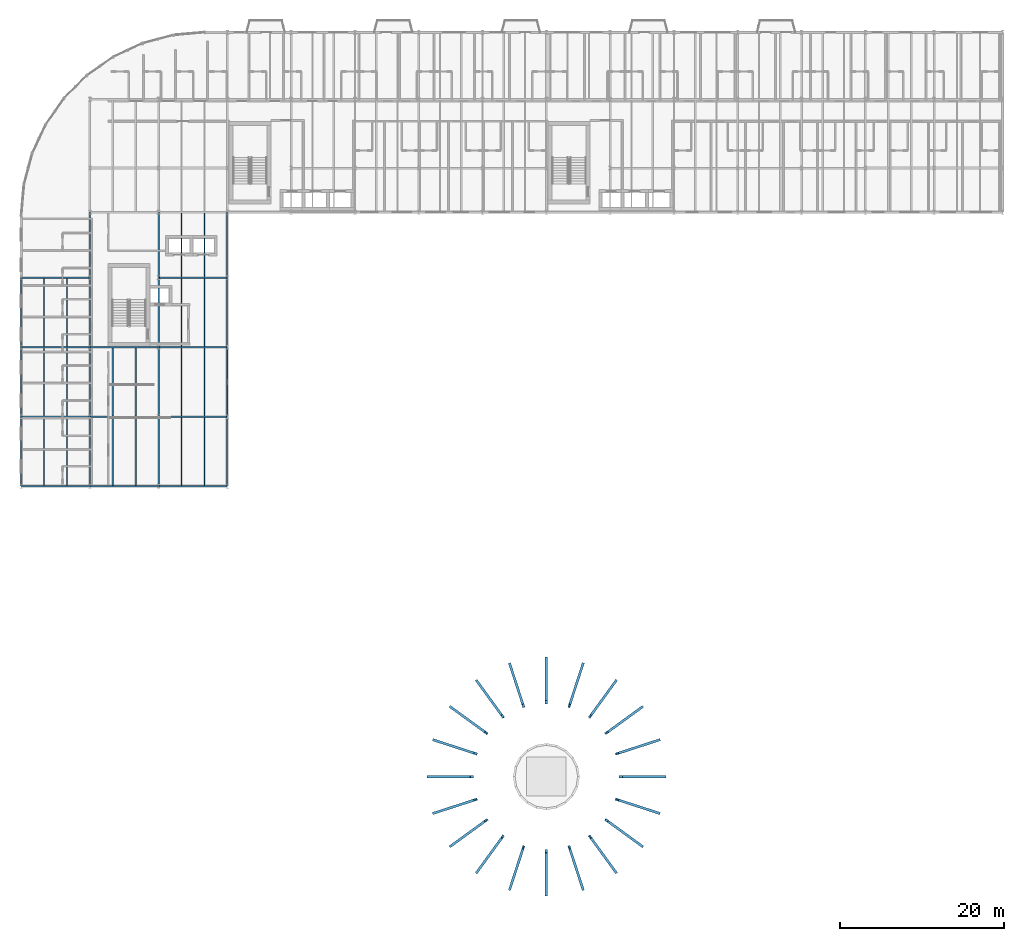
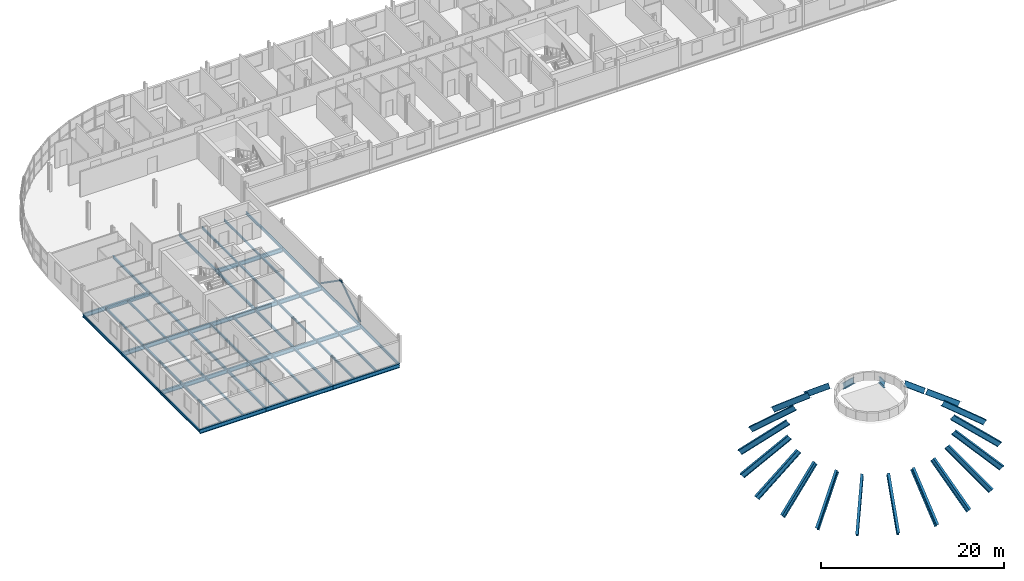
# One storey, part 7 of 34: 44 beams, 22 members.
"""IFC4 building model written with IfcOpenShell, lengths in metres."""

from ifc_helpers import new_model, si_unit, direction, frame, origin, origin_2d, place, context, subcontext, project, spatial, hollow_circle, i_section, extrude, material, material_profile, profile_set, type_object, element, save


model = new_model("IFC4")

# Units and contexts
model_context = context("Model", 3, precision=1e-05, world=origin(), true_north=direction((0.0, 1.0)))
body_context = subcontext(model_context, "Body", "Model", "MODEL_VIEW")
ifc_project = project(units=[si_unit("LENGTHUNIT", "METRE"), si_unit("AREAUNIT", "SQUARE_METRE"), si_unit("VOLUMEUNIT", "CUBIC_METRE"), si_unit("PLANEANGLEUNIT", "RADIAN"), si_unit("MASSUNIT", "GRAM", prefix="KILO")], contexts=[model_context])

# Site, building, storey
site_placement = place(None, origin())
site = spatial("IfcSite", under=ifc_project, at=site_placement, CompositionType="ELEMENT")
building_placement = place(site_placement, origin())
building = spatial("IfcBuilding", under=site, at=building_placement, Name="Sefraquen Railside Congress Hotel", CompositionType="ELEMENT")
storey_placement = place(building_placement, frame((0.0, 0.0, 31.800048828125)))
storey = spatial("IfcBuildingStorey", under=building, at=storey_placement, Name="L07", CompositionType="ELEMENT", Elevation=31.800048828125)

# Beams
ifc_material_1 = material(Name="Steel S355JR", Category="steel")
ifc_material_profile_1 = material_profile(ifc_material_1, i_section(OverallWidth=0.169921875, OverallDepth=0.360107421875, WebThickness=0.008056640625, FlangeThickness=0.0126953125, FilletRadius=0.01806640625, at=origin_2d()), Name="IPE 360")
ifc_profile_set_1 = profile_set([ifc_material_profile_1], Name="Steel S355JR")
beam_type_1 = type_object("IfcBeamType", Name="TB-BM-360", PredefinedType="BEAM", material=ifc_profile_set_1)
for number, where, z_axis, x_axis, name in (
    (1, (0.0, 62.5, -0.420166015625), (0.0, 1.0, 0.0), (-1.0, 0.0, 0.0), "Floor beam BM-L07-1770"),
    (2, (0.0, 71.0, -0.420166015625), (0.0, 1.0, 0.0), (-1.0, 0.0, 0.0), "Floor beam BM-L07-1771"),
    (3, (0.0, 79.5, -0.420166015625), (0.0, 1.0, 0.0), (-1.0, 0.0, 0.0), "Floor beam BM-L07-1772"),
    (4, (8.39990234375, 62.5, -0.420166015625), (0.0, 1.0, 0.0), (-1.0, 0.0, 0.0), "Floor beam BM-L07-1773"),
    (5, (8.39990234375, 71.0, -0.420166015625), (0.0, 1.0, 0.0), (-1.0, 0.0, 0.0), "Floor beam BM-L07-1774"),
    (6, (8.39990234375, 79.5, -0.420166015625), (0.0, 1.0, 0.0), (-1.0, 0.0, 0.0), "Floor beam BM-L07-1775"),
):
    element("IfcBeam", number, at=place(storey_placement, frame(where, z_axis=z_axis, x_axis=x_axis)), inside=storey, type_object=beam_type_1, Name=name, PredefinedType="BEAM", context=body_context, shape_type="SweptSolid", body=[
        extrude(i_section(OverallWidth=0.169921875, OverallDepth=0.360107421875, WebThickness=0.008056640625, FlangeThickness=0.0126953125, FilletRadius=0.01806640625, at=origin_2d()), origin(), (0.0, 0.0, 1.0), 8.5),
    ])
beam_1_placement = place(storey_placement, frame((8.39990234375, 88.0, -0.420166015625), z_axis=(0.0, 1.0, 0.0), x_axis=(-1.0, 0.0, 0.0)))
element("IfcBeam", 7, at=beam_1_placement, inside=storey, type_object=beam_type_1, Name="Floor beam BM-L07-1776", PredefinedType="BEAM", context=body_context, shape_type="SweptSolid", body=[
    extrude(i_section(OverallWidth=0.169921875, OverallDepth=0.360107421875, WebThickness=0.008056640625, FlangeThickness=0.0126953125, FilletRadius=0.01806640625, at=origin_2d()), origin(), (0.0, 0.0, 1.0), 8.0),
])
for number, where, z_axis, x_axis, name in (
    (8, (16.800048828125, 62.5, -0.420166015625), (0.0, 1.0, 0.0), (-1.0, 0.0, 0.0), "Floor beam BM-L07-1779"),
    (9, (16.800048828125, 71.0, -0.420166015625), (0.0, 1.0, 0.0), (-1.0, 0.0, 0.0), "Floor beam BM-L07-1780"),
    (10, (16.800048828125, 79.5, -0.420166015625), (0.0, 1.0, 0.0), (-1.0, 0.0, 0.0), "Floor beam BM-L07-1781"),
):
    element("IfcBeam", number, at=place(storey_placement, frame(where, z_axis=z_axis, x_axis=x_axis)), inside=storey, type_object=beam_type_1, Name=name, PredefinedType="BEAM", context=body_context, shape_type="SweptSolid", body=[
        extrude(i_section(OverallWidth=0.169921875, OverallDepth=0.360107421875, WebThickness=0.008056640625, FlangeThickness=0.0126953125, FilletRadius=0.01806640625, at=origin_2d()), origin(), (0.0, 0.0, 1.0), 8.5),
    ])
beam_2_placement = place(storey_placement, frame((16.800048828125, 88.0, -0.420166015625), z_axis=(0.0, 1.0, 0.0), x_axis=(-1.0, 0.0, 0.0)))
element("IfcBeam", 11, at=beam_2_placement, inside=storey, type_object=beam_type_1, Name="Floor beam BM-L07-1782", PredefinedType="BEAM", context=body_context, shape_type="SweptSolid", body=[
    extrude(i_section(OverallWidth=0.169921875, OverallDepth=0.360107421875, WebThickness=0.008056640625, FlangeThickness=0.0126953125, FilletRadius=0.01806640625, at=origin_2d()), origin(), (0.0, 0.0, 1.0), 8.0),
])
for number, where, z_axis, x_axis, name in (
    (12, (25.199951171875, 62.5, -0.420166015625), (0.0, 1.0, 0.0), (-1.0, 0.0, 0.0), "Floor beam BM-L07-1785"),
    (13, (25.199951171875, 71.0, -0.420166015625), (0.0, 1.0, 0.0), (-1.0, 0.0, 0.0), "Floor beam BM-L07-1786"),
    (14, (25.199951171875, 79.5, -0.420166015625), (0.0, 1.0, 0.0), (-1.0, 0.0, 0.0), "Floor beam BM-L07-1787"),
):
    element("IfcBeam", number, at=place(storey_placement, frame(where, z_axis=z_axis, x_axis=x_axis)), inside=storey, type_object=beam_type_1, Name=name, PredefinedType="BEAM", context=body_context, shape_type="SweptSolid", body=[
        extrude(i_section(OverallWidth=0.169921875, OverallDepth=0.360107421875, WebThickness=0.008056640625, FlangeThickness=0.0126953125, FilletRadius=0.01806640625, at=origin_2d()), origin(), (0.0, 0.0, 1.0), 8.5),
    ])
beam_3_placement = place(storey_placement, frame((25.199951171875, 88.0, -0.420166015625), z_axis=(0.0, 1.0, 0.0), x_axis=(-1.0, 0.0, 0.0)))
element("IfcBeam", 15, at=beam_3_placement, inside=storey, type_object=beam_type_1, Name="Floor beam BM-L07-1788", PredefinedType="BEAM", context=body_context, shape_type="SweptSolid", body=[
    extrude(i_section(OverallWidth=0.169921875, OverallDepth=0.360107421875, WebThickness=0.008056640625, FlangeThickness=0.0126953125, FilletRadius=0.01806640625, at=origin_2d()), origin(), (0.0, 0.0, 1.0), 8.0),
])
ifc_material_profile_2 = material_profile(ifc_material_1, i_section(OverallWidth=0.2099609375, OverallDepth=0.550048828125, WebThickness=0.010986328125, FlangeThickness=0.01708984375, FilletRadius=0.02392578125, at=origin_2d()), Name="IPE 550")
ifc_profile_set_2 = profile_set([ifc_material_profile_2], Name="Steel S355JR")
beam_type_2 = type_object("IfcBeamType", Name="TB-GIR-550", PredefinedType="T_BEAM", material=ifc_profile_set_2)
beam_4_placement = place(storey_placement, frame((0.0, 62.5, -0.51513671875), z_axis=(1.0, 0.0, 0.0), x_axis=(0.0, 1.0, 0.0)))
element("IfcBeam", 16, at=beam_4_placement, inside=storey, type_object=beam_type_2, Name="Primary girder BM-L07-1707", PredefinedType="T_BEAM", context=body_context, shape_type="SweptSolid", body=[
    extrude(i_section(OverallWidth=0.2099609375, OverallDepth=0.550048828125, WebThickness=0.010986328125, FlangeThickness=0.01708984375, FilletRadius=0.02392578125, at=origin_2d()), origin(), (0.0, 0.0, 1.0), 8.39990234375),
])
beam_5_placement = place(storey_placement, frame((8.39990234375, 62.5, -0.51513671875), z_axis=(1.0, 0.0, 0.0), x_axis=(0.0, 1.0, 0.0)))
element("IfcBeam", 17, at=beam_5_placement, inside=storey, type_object=beam_type_2, Name="Primary girder BM-L07-1708", PredefinedType="T_BEAM", context=body_context, shape_type="SweptSolid", body=[
    extrude(i_section(OverallWidth=0.2099609375, OverallDepth=0.550048828125, WebThickness=0.010986328125, FlangeThickness=0.01708984375, FilletRadius=0.02392578125, at=origin_2d()), origin(), (0.0, 0.0, 1.0), 8.400146484375),
])
for number, where, z_axis, x_axis, name in (
    (18, (16.800048828125, 62.5, -0.51513671875), (1.0, 0.0, 0.0), (0.0, 1.0, 0.0), "Primary girder BM-L07-1709"),
    (19, (0.0, 71.0, -0.51513671875), (1.0, 0.0, 0.0), (0.0, 1.0, 0.0), "Primary girder BM-L07-1710"),
):
    element("IfcBeam", number, at=place(storey_placement, frame(where, z_axis=z_axis, x_axis=x_axis)), inside=storey, type_object=beam_type_2, Name=name, PredefinedType="T_BEAM", context=body_context, shape_type="SweptSolid", body=[
        extrude(i_section(OverallWidth=0.2099609375, OverallDepth=0.550048828125, WebThickness=0.010986328125, FlangeThickness=0.01708984375, FilletRadius=0.02392578125, at=origin_2d()), origin(), (0.0, 0.0, 1.0), 8.39990234375),
    ])
beam_6_placement = place(storey_placement, frame((8.39990234375, 71.0, -0.51513671875), z_axis=(1.0, 0.0, 0.0), x_axis=(0.0, 1.0, 0.0)))
element("IfcBeam", 20, at=beam_6_placement, inside=storey, type_object=beam_type_2, Name="Primary girder BM-L07-1711", PredefinedType="T_BEAM", context=body_context, shape_type="SweptSolid", body=[
    extrude(i_section(OverallWidth=0.2099609375, OverallDepth=0.550048828125, WebThickness=0.010986328125, FlangeThickness=0.01708984375, FilletRadius=0.02392578125, at=origin_2d()), origin(), (0.0, 0.0, 1.0), 8.400146484375),
])
for number, where, z_axis, x_axis, name in (
    (21, (16.800048828125, 71.0, -0.51513671875), (1.0, 0.0, 0.0), (0.0, 1.0, 0.0), "Primary girder BM-L07-1712"),
    (22, (0.0, 79.5, -0.51513671875), (1.0, 0.0, 0.0), (0.0, 1.0, 0.0), "Primary girder BM-L07-1713"),
):
    element("IfcBeam", number, at=place(storey_placement, frame(where, z_axis=z_axis, x_axis=x_axis)), inside=storey, type_object=beam_type_2, Name=name, PredefinedType="T_BEAM", context=body_context, shape_type="SweptSolid", body=[
        extrude(i_section(OverallWidth=0.2099609375, OverallDepth=0.550048828125, WebThickness=0.010986328125, FlangeThickness=0.01708984375, FilletRadius=0.02392578125, at=origin_2d()), origin(), (0.0, 0.0, 1.0), 8.39990234375),
    ])
beam_7_placement = place(storey_placement, frame((8.39990234375, 79.5, -0.51513671875), z_axis=(1.0, 0.0, 0.0), x_axis=(0.0, 1.0, 0.0)))
element("IfcBeam", 23, at=beam_7_placement, inside=storey, type_object=beam_type_2, Name="Primary girder BM-L07-1714", PredefinedType="T_BEAM", context=body_context, shape_type="SweptSolid", body=[
    extrude(i_section(OverallWidth=0.2099609375, OverallDepth=0.550048828125, WebThickness=0.010986328125, FlangeThickness=0.01708984375, FilletRadius=0.02392578125, at=origin_2d()), origin(), (0.0, 0.0, 1.0), 8.400146484375),
])
for number, where, z_axis, x_axis, name in (
    (24, (16.800048828125, 79.5, -0.51513671875), (1.0, 0.0, 0.0), (0.0, 1.0, 0.0), "Primary girder BM-L07-1715"),
    (25, (0.0, 88.0, -0.51513671875), (1.0, 0.0, 0.0), (0.0, 1.0, 0.0), "Primary girder BM-L07-1716"),
    (26, (16.800048828125, 88.0, -0.51513671875), (1.0, 0.0, 0.0), (0.0, 1.0, 0.0), "Primary girder BM-L07-1717"),
):
    element("IfcBeam", number, at=place(storey_placement, frame(where, z_axis=z_axis, x_axis=x_axis)), inside=storey, type_object=beam_type_2, Name=name, PredefinedType="T_BEAM", context=body_context, shape_type="SweptSolid", body=[
        extrude(i_section(OverallWidth=0.2099609375, OverallDepth=0.550048828125, WebThickness=0.010986328125, FlangeThickness=0.01708984375, FilletRadius=0.02392578125, at=origin_2d()), origin(), (0.0, 0.0, 1.0), 8.39990234375),
    ])
ifc_material_profile_3 = material_profile(ifc_material_1, i_section(OverallWidth=0.14990234375, OverallDepth=0.300048828125, WebThickness=0.007080078125, FlangeThickness=0.0107421875, FilletRadius=0.014892578125, at=origin_2d()), Name="IPE 300")
ifc_profile_set_3 = profile_set([ifc_material_profile_3], Name="Steel S355JR")
beam_type_3 = type_object("IfcBeamType", Name="TB-JST-300", PredefinedType="JOIST", material=ifc_profile_set_3)
for number, where, z_axis, x_axis, name in (
    (27, (2.800048828125, 62.5849609375, -0.39013671875), (0.0, 1.0, 0.0), (-1.0, 0.0, 0.0), "Composite floor joist BM-L07-J1144"),
    (28, (5.60009765625, 62.5849609375, -0.39013671875), (0.0, 1.0, 0.0), (-1.0, 0.0, 0.0), "Composite floor joist BM-L07-J1145"),
    (29, (2.800048828125, 71.0849609375, -0.39013671875), (0.0, 1.0, 0.0), (-1.0, 0.0, 0.0), "Composite floor joist BM-L07-J1146"),
    (30, (5.60009765625, 71.0849609375, -0.39013671875), (0.0, 1.0, 0.0), (-1.0, 0.0, 0.0), "Composite floor joist BM-L07-J1147"),
    (31, (2.800048828125, 79.5849609375, -0.39013671875), (0.0, 1.0, 0.0), (-1.0, 0.0, 0.0), "Composite floor joist BM-L07-J1148"),
    (32, (5.60009765625, 79.5849609375, -0.39013671875), (0.0, 1.0, 0.0), (-1.0, 0.0, 0.0), "Composite floor joist BM-L07-J1149"),
    (33, (11.199951171875, 62.5849609375, -0.39013671875), (0.0, 1.0, 0.0), (-1.0, 0.0, 0.0), "Composite floor joist BM-L07-J1150"),
    (34, (14.0, 62.5849609375, -0.39013671875), (0.0, 1.0, 0.0), (-1.0, 0.0, 0.0), "Composite floor joist BM-L07-J1151"),
    (35, (11.199951171875, 71.0849609375, -0.39013671875), (0.0, 1.0, 0.0), (-1.0, 0.0, 0.0), "Composite floor joist BM-L07-J1152"),
    (36, (14.0, 71.0849609375, -0.39013671875), (0.0, 1.0, 0.0), (-1.0, 0.0, 0.0), "Composite floor joist BM-L07-J1153"),
    (37, (19.60009765625, 62.5849609375, -0.39013671875), (0.0, 1.0, 0.0), (-1.0, 0.0, 0.0), "Composite floor joist BM-L07-J1158"),
    (38, (22.39990234375, 62.5849609375, -0.39013671875), (0.0, 1.0, 0.0), (-1.0, 0.0, 0.0), "Composite floor joist BM-L07-J1159"),
    (39, (19.60009765625, 71.0849609375, -0.39013671875), (0.0, 1.0, 0.0), (-1.0, 0.0, 0.0), "Composite floor joist BM-L07-J1160"),
    (40, (22.39990234375, 71.0849609375, -0.39013671875), (0.0, 1.0, 0.0), (-1.0, 0.0, 0.0), "Composite floor joist BM-L07-J1161"),
    (41, (19.60009765625, 79.5849609375, -0.39013671875), (0.0, 1.0, 0.0), (-1.0, 0.0, 0.0), "Composite floor joist BM-L07-J1162"),
    (42, (22.39990234375, 79.5849609375, -0.39013671875), (0.0, 1.0, 0.0), (-1.0, 0.0, 0.0), "Composite floor joist BM-L07-J1163"),
):
    element("IfcBeam", number, at=place(storey_placement, frame(where, z_axis=z_axis, x_axis=x_axis)), inside=storey, type_object=beam_type_3, Name=name, PredefinedType="JOIST", context=body_context, shape_type="SweptSolid", body=[
        extrude(i_section(OverallWidth=0.14990234375, OverallDepth=0.300048828125, WebThickness=0.007080078125, FlangeThickness=0.0107421875, FilletRadius=0.014892578125, at=origin_2d()), origin(), (0.0, 0.0, 1.0), 8.330078125),
    ])
for number, where, z_axis, x_axis, name in (
    (43, (19.60009765625, 88.0849609375, -0.39013671875), (0.0, 1.0, 0.0), (-1.0, 0.0, 0.0), "Composite floor joist BM-L07-J1164"),
    (44, (22.39990234375, 88.0849609375, -0.39013671875), (0.0, 1.0, 0.0), (-1.0, 0.0, 0.0), "Composite floor joist BM-L07-J1165"),
):
    element("IfcBeam", number, at=place(storey_placement, frame(where, z_axis=z_axis, x_axis=x_axis)), inside=storey, type_object=beam_type_3, Name=name, PredefinedType="JOIST", context=body_context, shape_type="SweptSolid", body=[
        extrude(i_section(OverallWidth=0.14990234375, OverallDepth=0.300048828125, WebThickness=0.007080078125, FlangeThickness=0.0107421875, FilletRadius=0.014892578125, at=origin_2d()), origin(), (0.0, 0.0, 1.0), 7.830078125),
    ])

# Members
ifc_material_2 = material(Name="Steel S355J2", Category="steel")
ifc_material_profile_4 = material_profile(ifc_material_2, hollow_circle(Radius=0.109619140625, WallThickness=0.010009765625, at=origin_2d()), Name="CHS 219.1x10")
ifc_profile_set_4 = profile_set([ifc_material_profile_4], Name="Steel S355J2")
member_type_1 = type_object("IfcMemberType", Name="TM-BR-219", PredefinedType="BRACE", material=ifc_profile_set_4)
for number, where, z_axis, x_axis, name in (
    (45, (25.199951171875, 71.0, 0.14990234375), (0.0, 0.820593783001, 0.571511892527), (-1.0, 0.0, 0.0), "Chevron braced-frame diagonal BF2-L L07"),
    (46, (25.199951171875, 79.5, 0.14990234375), (0.0, -0.820593783001, 0.571511892527), (1.0, 0.0, 0.0), "Chevron braced-frame diagonal BF2-R L07"),
):
    element("IfcMember", number, at=place(storey_placement, frame(where, z_axis=z_axis, x_axis=x_axis)), inside=storey, type_object=member_type_1, Name=name, PredefinedType="BRACE", context=body_context, shape_type="SweptSolid", body=[
        extrude(hollow_circle(Radius=0.109619140625, WallThickness=0.010009765625, at=origin_2d()), origin(), (0.0, 0.0, 1.0), 5.17919921875),
    ])
ifc_material_profile_5 = material_profile(ifc_material_2, i_section(OverallWidth=0.300048828125, OverallDepth=0.679931640625, WebThickness=0.01611328125, FlangeThickness=0.028076171875, at=origin_2d()), Name="DR 680x300")
ifc_profile_set_5 = profile_set([ifc_material_profile_5], Name="Steel S355J2")
member_type_2 = type_object("IfcMemberType", Name="TM-RAF-680", PredefinedType="RAFTER", material=ifc_profile_set_5)
for number, where, z_axis, x_axis, name in (
    (47, (78.60009765625, 27.0, -5.280029296875), (-0.769419743862, 0.0, 0.638743499188), (0.0, -1.0, 0.0), "Dome radial rib rafter 01.2"),
    (48, (77.895263671875, 31.44970703125, -5.280029296875), (-0.731772899262, -0.237745561498, 0.63873740449), (0.308991288614, -0.951064868219, 0.0), "Dome radial rib rafter 02.2"),
    (49, (75.849853515625, 35.464111328125, -5.280029296875), (-0.622477030822, -0.452246593025, 0.638745148863), (0.587777219904, -0.809022830186, 0.0), "Dome radial rib rafter 03.2"),
    (50, (72.6640625, 38.64990234375, -5.280029296875), (-0.452246593025, -0.622477030822, 0.638745148863), (0.809022830186, -0.587777219904, 0.0), "Dome radial rib rafter 04.2"),
    (51, (68.64990234375, 40.6953125, -5.280029296875), (-0.237745561498, -0.731772899262, 0.63873740449), (0.951064868219, -0.308991288614, 0.0), "Dome radial rib rafter 05.2"),
):
    element("IfcMember", number, at=place(storey_placement, frame(where, z_axis=z_axis, x_axis=x_axis)), inside=storey, type_object=member_type_2, Name=name, PredefinedType="RAFTER", context=body_context, shape_type="SweptSolid", body=[
        extrude(i_section(OverallWidth=0.300048828125, OverallDepth=0.679931640625, WebThickness=0.01611328125, FlangeThickness=0.028076171875, at=origin_2d()), origin(), (0.0, 0.0, 1.0), 6.888427734375),
    ])
member_1_placement = place(storey_placement, frame((64.199951171875, 41.39990234375, -5.280029296875), z_axis=(0.0, -0.769405282997, 0.638760918103), x_axis=(1.0, 0.0, 0.0)))
element("IfcMember", 52, at=member_1_placement, inside=storey, type_object=member_type_2, Name="Dome radial rib rafter 06.2", PredefinedType="RAFTER", context=body_context, shape_type="SweptSolid", body=[
    extrude(i_section(OverallWidth=0.300048828125, OverallDepth=0.679931640625, WebThickness=0.01611328125, FlangeThickness=0.028076171875, at=origin_2d()), origin(), (0.0, 0.0, 1.0), 6.88818359375),
])
for number, where, z_axis, x_axis, name in (
    (53, (59.750244140625, 40.6953125, -5.280029296875), (0.237745561498, -0.731772899262, 0.63873740449), (0.951064868219, 0.308991288614, 0.0), "Dome radial rib rafter 07.2"),
    (54, (55.73583984375, 38.64990234375, -5.280029296875), (0.452274785918, -0.622467053136, 0.638734910415), (0.809000925603, 0.587807368424, 0.0), "Dome radial rib rafter 08.2"),
):
    element("IfcMember", number, at=place(storey_placement, frame(where, z_axis=z_axis, x_axis=x_axis)), inside=storey, type_object=member_type_2, Name=name, PredefinedType="RAFTER", context=body_context, shape_type="SweptSolid", body=[
        extrude(i_section(OverallWidth=0.300048828125, OverallDepth=0.679931640625, WebThickness=0.01611328125, FlangeThickness=0.028076171875, at=origin_2d()), origin(), (0.0, 0.0, 1.0), 6.888427734375),
    ])
for number, where, z_axis, x_axis, name in (
    (55, (52.55029296875, 35.464111328125, -5.280029296875), (0.622455320767, -0.452256570606, 0.638759241024), (0.587799125119, 0.809006914995, 0.0), "Dome radial rib rafter 09.2"),
    (56, (50.5048828125, 31.44970703125, -5.280029296875), (0.73175643547, -0.237751727654, 0.638753970747), (0.309004825775, 0.951060470027, 0.0), "Dome radial rib rafter 10.2"),
):
    element("IfcMember", number, at=place(storey_placement, frame(where, z_axis=z_axis, x_axis=x_axis)), inside=storey, type_object=member_type_2, Name=name, PredefinedType="RAFTER", context=body_context, shape_type="SweptSolid", body=[
        extrude(i_section(OverallWidth=0.300048828125, OverallDepth=0.679931640625, WebThickness=0.01611328125, FlangeThickness=0.028076171875, at=origin_2d()), origin(), (0.0, 0.0, 1.0), 6.88818359375),
    ])
member_2_placement = place(storey_placement, frame((49.800048828125, 27.0, -5.280029296875), z_axis=(0.769419743862, 0.0, 0.638743499188), x_axis=(0.0, 1.0, 0.0)))
element("IfcMember", 57, at=member_2_placement, inside=storey, type_object=member_type_2, Name="Dome radial rib rafter 11.2", PredefinedType="RAFTER", context=body_context, shape_type="SweptSolid", body=[
    extrude(i_section(OverallWidth=0.300048828125, OverallDepth=0.679931640625, WebThickness=0.01611328125, FlangeThickness=0.028076171875, at=origin_2d()), origin(), (0.0, 0.0, 1.0), 6.888427734375),
])
for number, where, z_axis, x_axis, name in (
    (58, (50.5048828125, 22.55029296875, -5.280029296875), (0.73175643547, 0.237751727654, 0.638753970747), (-0.309004825775, 0.951060470027, 0.0), "Dome radial rib rafter 12.2"),
    (59, (52.55029296875, 18.535888671875, -5.280029296875), (0.622455320767, 0.452256570606, 0.638759241024), (-0.587799125119, 0.809006914995, 0.0), "Dome radial rib rafter 13.2"),
):
    element("IfcMember", number, at=place(storey_placement, frame(where, z_axis=z_axis, x_axis=x_axis)), inside=storey, type_object=member_type_2, Name=name, PredefinedType="RAFTER", context=body_context, shape_type="SweptSolid", body=[
        extrude(i_section(OverallWidth=0.300048828125, OverallDepth=0.679931640625, WebThickness=0.01611328125, FlangeThickness=0.028076171875, at=origin_2d()), origin(), (0.0, 0.0, 1.0), 6.88818359375),
    ])
for number, where, z_axis, x_axis, name in (
    (60, (55.73583984375, 15.35009765625, -5.280029296875), (0.452274785918, 0.622467053136, 0.638734910415), (-0.809000925603, 0.587807368424, 0.0), "Dome radial rib rafter 14.2"),
    (61, (59.750244140625, 13.3046875, -5.280029296875), (0.237745561498, 0.731772899262, 0.63873740449), (-0.951064868219, 0.308991288614, 0.0), "Dome radial rib rafter 15.2"),
):
    element("IfcMember", number, at=place(storey_placement, frame(where, z_axis=z_axis, x_axis=x_axis)), inside=storey, type_object=member_type_2, Name=name, PredefinedType="RAFTER", context=body_context, shape_type="SweptSolid", body=[
        extrude(i_section(OverallWidth=0.300048828125, OverallDepth=0.679931640625, WebThickness=0.01611328125, FlangeThickness=0.028076171875, at=origin_2d()), origin(), (0.0, 0.0, 1.0), 6.888427734375),
    ])
member_3_placement = place(storey_placement, frame((64.199951171875, 12.60009765625, -5.280029296875), z_axis=(0.0, 0.769405282997, 0.638760918103), x_axis=(-1.0, 0.0, 0.0)))
element("IfcMember", 62, at=member_3_placement, inside=storey, type_object=member_type_2, Name="Dome radial rib rafter 16.2", PredefinedType="RAFTER", context=body_context, shape_type="SweptSolid", body=[
    extrude(i_section(OverallWidth=0.300048828125, OverallDepth=0.679931640625, WebThickness=0.01611328125, FlangeThickness=0.028076171875, at=origin_2d()), origin(), (0.0, 0.0, 1.0), 6.88818359375),
])
for number, where, z_axis, x_axis, name in (
    (63, (68.64990234375, 13.3046875, -5.280029296875), (-0.237745561498, 0.731772899262, 0.63873740449), (-0.951064868219, -0.308991288614, 0.0), "Dome radial rib rafter 17.2"),
    (64, (72.6640625, 15.35009765625, -5.280029296875), (-0.452246593025, 0.622477030822, 0.638745148863), (-0.809022830186, -0.587777219904, 0.0), "Dome radial rib rafter 18.2"),
    (65, (75.849853515625, 18.535888671875, -5.280029296875), (-0.622477030822, 0.452246593025, 0.638745148863), (-0.587777219904, -0.809022830186, 0.0), "Dome radial rib rafter 19.2"),
    (66, (77.895263671875, 22.55029296875, -5.280029296875), (-0.731772899262, 0.237745561498, 0.63873740449), (-0.308991288614, -0.951064868219, 0.0), "Dome radial rib rafter 20.2"),
):
    element("IfcMember", number, at=place(storey_placement, frame(where, z_axis=z_axis, x_axis=x_axis)), inside=storey, type_object=member_type_2, Name=name, PredefinedType="RAFTER", context=body_context, shape_type="SweptSolid", body=[
        extrude(i_section(OverallWidth=0.300048828125, OverallDepth=0.679931640625, WebThickness=0.01611328125, FlangeThickness=0.028076171875, at=origin_2d()), origin(), (0.0, 0.0, 1.0), 6.888427734375),
    ])

save(model, "model.ifc")
